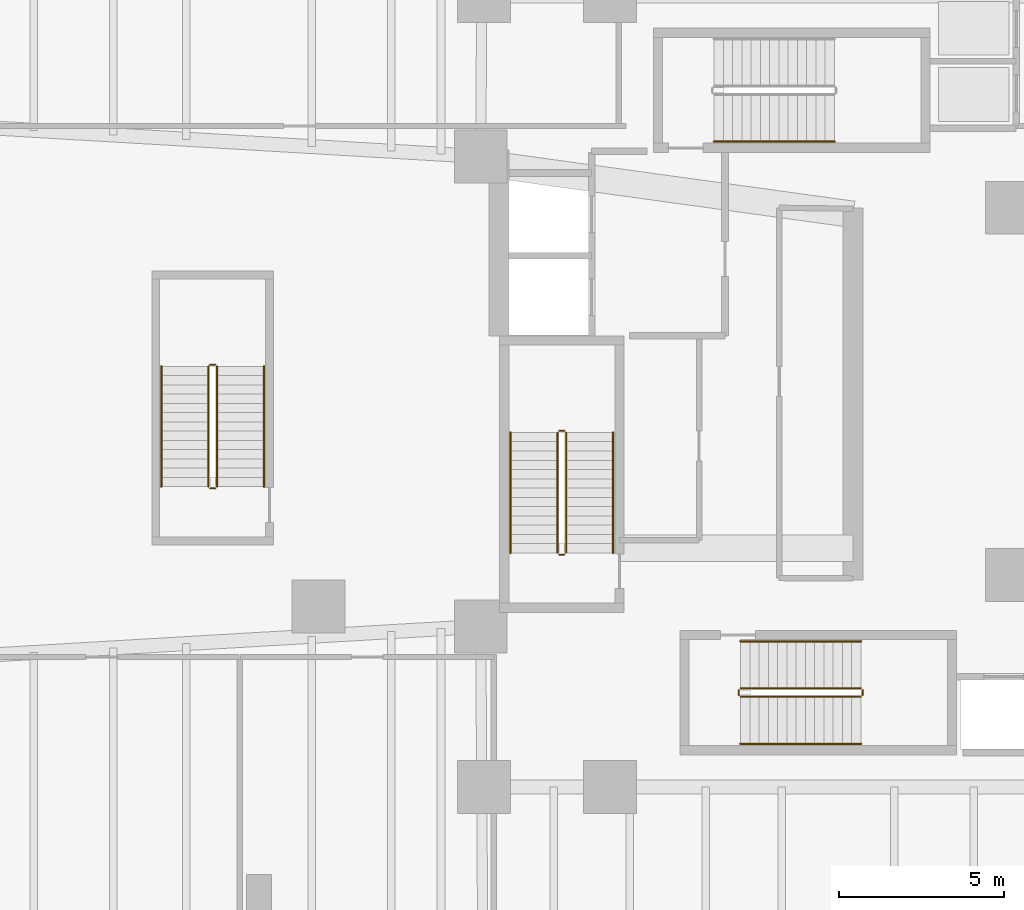
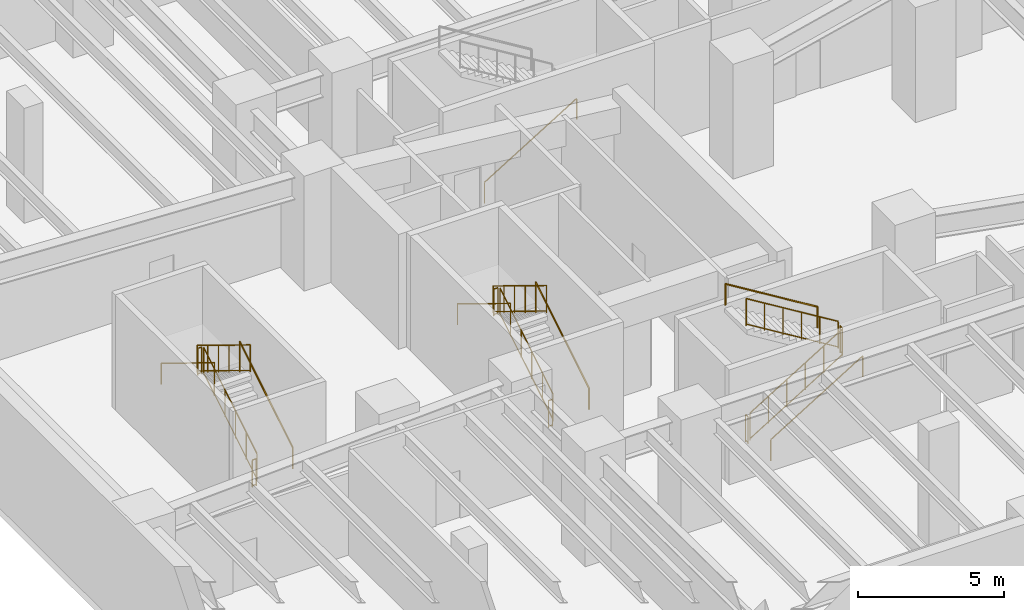
# One storey, part 7 of 9: 19 railings.
"""IFC4 building model written with IfcOpenShell, lengths in metres."""

from ifc_helpers import new_model, si_unit, direction, frame, origin, origin_2d, place, context, subcontext, project, spatial, circle, extrude, material, type_object, element, save


model = new_model("IFC4")

# Units and contexts
model_context = context("Model", 3, precision=1e-05, world=origin(), true_north=direction((0.0, 1.0)))
body_context = subcontext(model_context, "Body", "Model", "MODEL_VIEW")
ifc_project = project(units=[si_unit("LENGTHUNIT", "METRE"), si_unit("AREAUNIT", "SQUARE_METRE"), si_unit("VOLUMEUNIT", "CUBIC_METRE"), si_unit("PLANEANGLEUNIT", "RADIAN"), si_unit("MASSUNIT", "GRAM", prefix="KILO"), si_unit("THERMODYNAMICTEMPERATUREUNIT", "KELVIN"), si_unit("POWERUNIT", "WATT")], contexts=[model_context])

# Site, building, storey
site_placement = place(None, origin())
site = spatial("IfcSite", under=ifc_project, at=site_placement, CompositionType="ELEMENT")
building_placement = place(site_placement, origin())
building = spatial("IfcBuilding", under=site, at=building_placement, Name="Skarre Station Tower", CompositionType="ELEMENT")
storey_placement = place(building_placement, frame((0.0, 0.0, -4.800048828125)))
storey = spatial("IfcBuildingStorey", under=building, at=storey_placement, Name="B01", CompositionType="ELEMENT", Elevation=-4.800048828125)

# Railings
ifc_material = material(Name="Powder-Coated Tubular Steel", Category="steel")
railing_type_1 = type_object("IfcRailingType", Name="Painted Steel Ramp & Stair Handrail 920", PredefinedType="HANDRAIL", material=ifc_material)
railing_1_placement = place(storey_placement, frame((20.300048828125, 19.1201171875, 0.17138671875)))
element("IfcRailing", 1, at=railing_1_placement, inside=storey, type_object=railing_type_1, Name="B01 ST-1 stair handrail 1", PredefinedType="HANDRAIL", context=body_context, shape_type="SweptSolid", body=[
    extrude(circle(Radius=0.02392578125, at=origin_2d()), frame((0.0, 0.0, 0.8759765625), z_axis=(0.0, 0.852824790078, 0.522197163366), x_axis=(-1.0, 0.0, 0.0)), (0.0, 0.0, 1.0), 4.26806640625),
    extrude(circle(Radius=0.02099609375, at=origin_2d()), origin(), (0.0, 0.0, 1.0), 0.851806640625),
    extrude(circle(Radius=0.02099609375, at=origin_2d()), frame((0.0, 3.639892578125, 2.228759765625)), (0.0, 0.0, 1.0), 0.851806640625),
])
railing_2_placement = place(storey_placement, frame((17.199951171875, 22.760009765625, 2.571533203125)))
element("IfcRailing", 2, at=railing_2_placement, inside=storey, type_object=railing_type_1, Name="B01 ST-1 stair handrail 2", PredefinedType="HANDRAIL", context=body_context, shape_type="SweptSolid", body=[
    extrude(circle(Radius=0.02392578125, at=origin_2d()), frame((0.0, 0.0, 0.8759765625), z_axis=(0.0, -0.852850264322, 0.5221555579), x_axis=(1.0, 0.0, 0.0)), (0.0, 0.0, 1.0), 4.267822265625),
    extrude(circle(Radius=0.02099609375, at=origin_2d()), origin(), (0.0, 0.0, 1.0), 0.851806640625),
    extrude(circle(Radius=0.02099609375, at=origin_2d()), frame((0.0, -3.639892578125, 2.228515625)), (0.0, 0.0, 1.0), 0.851806640625),
])
railing_3_placement = place(storey_placement, frame((24.14990234375, 13.35009765625, 0.17138671875)))
element("IfcRailing", 3, at=railing_3_placement, inside=storey, type_object=railing_type_1, Name="B01 ST-2 stair handrail 1", PredefinedType="HANDRAIL", context=body_context, shape_type="SweptSolid", body=[
    extrude(circle(Radius=0.02392578125, at=origin_2d()), frame((0.0, 0.0, 0.8759765625), z_axis=(0.852840387347, 0.0, 0.522171689878), x_axis=(0.0, 1.0, 0.0)), (0.0, 0.0, 1.0), 4.268310546875),
    extrude(circle(Radius=0.02099609375, at=origin_2d()), origin(), (0.0, 0.0, 1.0), 0.851806640625),
    extrude(circle(Radius=0.02099609375, at=origin_2d()), frame((3.64013671875, 0.0, 2.228759765625)), (0.0, 0.0, 1.0), 0.851806640625),
])
railing_4_placement = place(storey_placement, frame((27.7900390625, 16.449951171875, 2.571533203125)))
element("IfcRailing", 4, at=railing_4_placement, inside=storey, type_object=railing_type_1, Name="B01 ST-2 stair handrail 2", PredefinedType="HANDRAIL", context=body_context, shape_type="SweptSolid", body=[
    extrude(circle(Radius=0.02392578125, at=origin_2d()), frame((0.0, 0.0, 0.8759765625), z_axis=(-0.852865859571, 0.0, 0.52213008492), x_axis=(0.0, -1.0, 0.0)), (0.0, 0.0, 1.0), 4.26806640625),
    extrude(circle(Radius=0.02099609375, at=origin_2d()), origin(), (0.0, 0.0, 1.0), 0.851806640625),
    extrude(circle(Radius=0.02099609375, at=origin_2d()), frame((-3.64013671875, 0.0, 2.228515625)), (0.0, 0.0, 1.0), 0.851806640625),
])
railing_5_placement = place(storey_placement, frame((23.35009765625, 31.550048828125, 0.17138671875)))
element("IfcRailing", 5, at=railing_5_placement, inside=storey, type_object=railing_type_1, Name="B01 ST-3 stair handrail 1", PredefinedType="HANDRAIL", context=body_context, shape_type="SweptSolid", body=[
    extrude(circle(Radius=0.02392578125, at=origin_2d()), frame((0.0, 0.0, 0.8759765625), z_axis=(0.852824790078, 0.0, 0.522197163366), x_axis=(0.0, 1.0, 0.0)), (0.0, 0.0, 1.0), 4.26806640625),
    extrude(circle(Radius=0.02099609375, at=origin_2d()), origin(), (0.0, 0.0, 1.0), 0.851806640625),
    extrude(circle(Radius=0.02099609375, at=origin_2d()), frame((3.639892578125, 0.0, 2.228759765625)), (0.0, 0.0, 1.0), 0.851806640625),
])
railing_6_placement = place(storey_placement, frame((9.75, 21.1201171875, 0.17138671875)))
element("IfcRailing", 6, at=railing_6_placement, inside=storey, type_object=railing_type_1, Name="B01 ST-4 stair handrail 1", PredefinedType="HANDRAIL", context=body_context, shape_type="SweptSolid", body=[
    extrude(circle(Radius=0.02392578125, at=origin_2d()), frame((0.0, 0.0, 0.8759765625), z_axis=(0.0, 0.852824790078, 0.522197163366), x_axis=(-1.0, 0.0, 0.0)), (0.0, 0.0, 1.0), 4.26806640625),
    extrude(circle(Radius=0.02099609375, at=origin_2d()), origin(), (0.0, 0.0, 1.0), 0.851806640625),
    extrude(circle(Radius=0.02099609375, at=origin_2d()), frame((0.0, 3.639892578125, 2.228759765625)), (0.0, 0.0, 1.0), 0.851806640625),
])
railing_7_placement = place(storey_placement, frame((6.64990234375, 24.760009765625, 2.571533203125)))
element("IfcRailing", 7, at=railing_7_placement, inside=storey, type_object=railing_type_1, Name="B01 ST-4 stair handrail 2", PredefinedType="HANDRAIL", context=body_context, shape_type="SweptSolid", body=[
    extrude(circle(Radius=0.02392578125, at=origin_2d()), frame((0.0, 0.0, 0.8759765625), z_axis=(0.0, -0.852850264322, 0.5221555579), x_axis=(1.0, 0.0, 0.0)), (0.0, 0.0, 1.0), 4.267822265625),
    extrude(circle(Radius=0.02099609375, at=origin_2d()), origin(), (0.0, 0.0, 1.0), 0.851806640625),
    extrude(circle(Radius=0.02099609375, at=origin_2d()), frame((0.0, -3.639892578125, 2.228515625)), (0.0, 0.0, 1.0), 0.851806640625),
])
railing_type_2 = type_object("IfcRailingType", Name="Painted Steel Stairwell Guardrail 1100", PredefinedType="GUARDRAIL", material=ifc_material)
railing_8_placement = place(storey_placement, frame((18.8798828125, 19.1201171875, 0.17138671875)))
element("IfcRailing", 8, at=railing_8_placement, inside=storey, type_object=railing_type_2, Name="B01 ST-1 stair guard 1", PredefinedType="GUARDRAIL", context=body_context, shape_type="SweptSolid", body=[
    extrude(circle(Radius=0.02392578125, at=origin_2d()), frame((0.0, 0.0, 1.1259765625), z_axis=(0.0, 0.852824790078, 0.522197163366), x_axis=(-1.0, 0.0, 0.0)), (0.0, 0.0, 1.0), 4.26806640625),
    extrude(circle(Radius=0.02099609375, at=origin_2d()), frame((0.0, 0.0, 0.06005859375), z_axis=(0.0, 0.852824790078, 0.522197163366), x_axis=(-1.0, 0.0, 0.0)), (0.0, 0.0, 1.0), 4.26806640625),
    extrude(circle(Radius=0.02099609375, at=origin_2d()), origin(), (0.0, 0.0, 1.0), 1.101806640625),
    extrude(circle(Radius=0.02099609375, at=origin_2d()), frame((0.0, 0.72802734375, 0.44580078125)), (0.0, 0.0, 1.0), 1.101806640625),
    extrude(circle(Radius=0.02099609375, at=origin_2d()), frame((0.0, 1.4560546875, 0.8916015625)), (0.0, 0.0, 1.0), 1.101806640625),
    extrude(circle(Radius=0.02099609375, at=origin_2d()), frame((0.0, 2.183837890625, 1.337158203125)), (0.0, 0.0, 1.0), 1.101806640625),
    extrude(circle(Radius=0.02099609375, at=origin_2d()), frame((0.0, 2.911865234375, 1.782958984375)), (0.0, 0.0, 1.0), 1.101806640625),
    extrude(circle(Radius=0.02099609375, at=origin_2d()), frame((0.0, 3.639892578125, 2.228759765625)), (0.0, 0.0, 1.0), 1.101806640625),
])
railing_9_placement = place(storey_placement, frame((18.830078125, 22.81005859375, 2.400146484375)))
element("IfcRailing", 9, at=railing_9_placement, inside=storey, type_object=railing_type_2, Name="B01 ST-1 stair guard 2", PredefinedType="GUARDRAIL", context=body_context, shape_type="SweptSolid", body=[
    extrude(circle(Radius=0.02392578125, at=origin_2d()), frame((0.0, 0.0, 1.1259765625), z_axis=(-1.0, 0.0, 0.0), x_axis=(0.0, -1.0, 0.0)), (0.0, 0.0, 1.0), 0.16015625),
    extrude(circle(Radius=0.02099609375, at=origin_2d()), frame((0.0, 0.0, 0.06005859375), z_axis=(-1.0, 0.0, 0.0), x_axis=(0.0, -1.0, 0.0)), (0.0, 0.0, 1.0), 0.16015625),
    extrude(circle(Radius=0.02099609375, at=origin_2d()), origin(), (0.0, 0.0, 1.0), 1.101806640625),
    extrude(circle(Radius=0.02099609375, at=origin_2d()), frame((-0.16015625, 0.0, 0.0)), (0.0, 0.0, 1.0), 1.101806640625),
])
railing_10_placement = place(storey_placement, frame((18.6201171875, 22.760009765625, 2.571533203125)))
element("IfcRailing", 10, at=railing_10_placement, inside=storey, type_object=railing_type_2, Name="B01 ST-1 stair guard 3", PredefinedType="GUARDRAIL", context=body_context, shape_type="SweptSolid", body=[
    extrude(circle(Radius=0.02392578125, at=origin_2d()), frame((0.0, 0.0, 1.1259765625), z_axis=(0.0, -0.852850264322, 0.5221555579), x_axis=(1.0, 0.0, 0.0)), (0.0, 0.0, 1.0), 4.267822265625),
    extrude(circle(Radius=0.02099609375, at=origin_2d()), frame((0.0, 0.0, 0.06005859375), z_axis=(0.0, -0.852850264322, 0.5221555579), x_axis=(1.0, 0.0, 0.0)), (0.0, 0.0, 1.0), 4.267822265625),
    extrude(circle(Radius=0.02099609375, at=origin_2d()), origin(), (0.0, 0.0, 1.0), 1.101806640625),
    extrude(circle(Radius=0.02099609375, at=origin_2d()), frame((0.0, -0.72802734375, 0.44580078125)), (0.0, 0.0, 1.0), 1.101806640625),
    extrude(circle(Radius=0.02099609375, at=origin_2d()), frame((0.0, -1.4560546875, 0.891357421875)), (0.0, 0.0, 1.0), 1.101806640625),
    extrude(circle(Radius=0.02099609375, at=origin_2d()), frame((0.0, -2.183837890625, 1.337158203125)), (0.0, 0.0, 1.0), 1.101806640625),
    extrude(circle(Radius=0.02099609375, at=origin_2d()), frame((0.0, -2.911865234375, 1.78271484375)), (0.0, 0.0, 1.0), 1.101806640625),
    extrude(circle(Radius=0.02099609375, at=origin_2d()), frame((0.0, -3.639892578125, 2.228515625)), (0.0, 0.0, 1.0), 1.101806640625),
])
railing_11_placement = place(storey_placement, frame((18.830078125, 19.070068359375, 0.0)))
element("IfcRailing", 11, at=railing_11_placement, inside=storey, type_object=railing_type_2, Name="B01 ST-1 stair guard 4", PredefinedType="GUARDRAIL", context=body_context, shape_type="SweptSolid", body=[
    extrude(circle(Radius=0.02392578125, at=origin_2d()), frame((0.0, 0.0, 1.1259765625), z_axis=(-1.0, 0.0, 0.0), x_axis=(0.0, -1.0, 0.0)), (0.0, 0.0, 1.0), 0.16015625),
    extrude(circle(Radius=0.02099609375, at=origin_2d()), frame((0.0, 0.0, 0.06005859375), z_axis=(-1.0, 0.0, 0.0), x_axis=(0.0, -1.0, 0.0)), (0.0, 0.0, 1.0), 0.16015625),
    extrude(circle(Radius=0.02099609375, at=origin_2d()), origin(), (0.0, 0.0, 1.0), 1.101806640625),
    extrude(circle(Radius=0.02099609375, at=origin_2d()), frame((-0.16015625, 0.0, 0.0)), (0.0, 0.0, 1.0), 1.101806640625),
])
railing_12_placement = place(storey_placement, frame((24.14990234375, 14.77001953125, 0.17138671875)))
element("IfcRailing", 12, at=railing_12_placement, inside=storey, type_object=railing_type_2, Name="B01 ST-2 stair guard 1", PredefinedType="GUARDRAIL", context=body_context, shape_type="SweptSolid", body=[
    extrude(circle(Radius=0.02392578125, at=origin_2d()), frame((0.0, 0.0, 1.1259765625), z_axis=(0.852840387347, 0.0, 0.522171689878), x_axis=(0.0, 1.0, 0.0)), (0.0, 0.0, 1.0), 4.268310546875),
    extrude(circle(Radius=0.02099609375, at=origin_2d()), frame((0.0, 0.0, 0.06005859375), z_axis=(0.852840387347, 0.0, 0.522171689878), x_axis=(0.0, 1.0, 0.0)), (0.0, 0.0, 1.0), 4.268310546875),
    extrude(circle(Radius=0.02099609375, at=origin_2d()), origin(), (0.0, 0.0, 1.0), 1.101806640625),
    extrude(circle(Radius=0.02099609375, at=origin_2d()), frame((0.72802734375, 0.0, 0.44580078125)), (0.0, 0.0, 1.0), 1.101806640625),
    extrude(circle(Radius=0.02099609375, at=origin_2d()), frame((1.4560546875, 0.0, 0.8916015625)), (0.0, 0.0, 1.0), 1.101806640625),
    extrude(circle(Radius=0.02099609375, at=origin_2d()), frame((2.18408203125, 0.0, 1.337158203125)), (0.0, 0.0, 1.0), 1.101806640625),
    extrude(circle(Radius=0.02099609375, at=origin_2d()), frame((2.912109375, 0.0, 1.782958984375)), (0.0, 0.0, 1.0), 1.101806640625),
    extrude(circle(Radius=0.02099609375, at=origin_2d()), frame((3.64013671875, 0.0, 2.228759765625)), (0.0, 0.0, 1.0), 1.101806640625),
])
railing_13_placement = place(storey_placement, frame((27.840087890625, 14.820068359375, 2.400146484375)))
element("IfcRailing", 13, at=railing_13_placement, inside=storey, type_object=railing_type_2, Name="B01 ST-2 stair guard 2", PredefinedType="GUARDRAIL", context=body_context, shape_type="SweptSolid", body=[
    extrude(circle(Radius=0.02392578125, at=origin_2d()), frame((0.0, 0.0, 1.1259765625), z_axis=(0.0, 1.0, 0.0), x_axis=(-1.0, 0.0, 0.0)), (0.0, 0.0, 1.0), 0.159912109375),
    extrude(circle(Radius=0.02099609375, at=origin_2d()), frame((0.0, 0.0, 0.06005859375), z_axis=(0.0, 1.0, 0.0), x_axis=(-1.0, 0.0, 0.0)), (0.0, 0.0, 1.0), 0.159912109375),
    extrude(circle(Radius=0.02099609375, at=origin_2d()), origin(), (0.0, 0.0, 1.0), 1.101806640625),
    extrude(circle(Radius=0.02099609375, at=origin_2d()), frame((0.0, 0.159912109375, 0.0)), (0.0, 0.0, 1.0), 1.101806640625),
])
railing_14_placement = place(storey_placement, frame((27.7900390625, 15.030029296875, 2.571533203125)))
element("IfcRailing", 14, at=railing_14_placement, inside=storey, type_object=railing_type_2, Name="B01 ST-2 stair guard 3", PredefinedType="GUARDRAIL", context=body_context, shape_type="SweptSolid", body=[
    extrude(circle(Radius=0.02392578125, at=origin_2d()), frame((0.0, 0.0, 1.1259765625), z_axis=(-0.852865859571, 0.0, 0.52213008492), x_axis=(0.0, -1.0, 0.0)), (0.0, 0.0, 1.0), 4.26806640625),
    extrude(circle(Radius=0.02099609375, at=origin_2d()), frame((0.0, 0.0, 0.06005859375), z_axis=(-0.852865859571, 0.0, 0.52213008492), x_axis=(0.0, -1.0, 0.0)), (0.0, 0.0, 1.0), 4.26806640625),
    extrude(circle(Radius=0.02099609375, at=origin_2d()), origin(), (0.0, 0.0, 1.0), 1.101806640625),
    extrude(circle(Radius=0.02099609375, at=origin_2d()), frame((-0.72802734375, 0.0, 0.44580078125)), (0.0, 0.0, 1.0), 1.101806640625),
    extrude(circle(Radius=0.02099609375, at=origin_2d()), frame((-1.4560546875, 0.0, 0.891357421875)), (0.0, 0.0, 1.0), 1.101806640625),
    extrude(circle(Radius=0.02099609375, at=origin_2d()), frame((-2.18408203125, 0.0, 1.337158203125)), (0.0, 0.0, 1.0), 1.101806640625),
    extrude(circle(Radius=0.02099609375, at=origin_2d()), frame((-2.912109375, 0.0, 1.78271484375)), (0.0, 0.0, 1.0), 1.101806640625),
    extrude(circle(Radius=0.02099609375, at=origin_2d()), frame((-3.64013671875, 0.0, 2.228515625)), (0.0, 0.0, 1.0), 1.101806640625),
])
railing_15_placement = place(storey_placement, frame((24.10009765625, 14.820068359375, 0.0)))
element("IfcRailing", 15, at=railing_15_placement, inside=storey, type_object=railing_type_2, Name="B01 ST-2 stair guard 4", PredefinedType="GUARDRAIL", context=body_context, shape_type="SweptSolid", body=[
    extrude(circle(Radius=0.02392578125, at=origin_2d()), frame((0.0, 0.0, 1.1259765625), z_axis=(0.0, 1.0, 0.0), x_axis=(-1.0, 0.0, 0.0)), (0.0, 0.0, 1.0), 0.159912109375),
    extrude(circle(Radius=0.02099609375, at=origin_2d()), frame((0.0, 0.0, 0.06005859375), z_axis=(0.0, 1.0, 0.0), x_axis=(-1.0, 0.0, 0.0)), (0.0, 0.0, 1.0), 0.159912109375),
    extrude(circle(Radius=0.02099609375, at=origin_2d()), origin(), (0.0, 0.0, 1.0), 1.101806640625),
    extrude(circle(Radius=0.02099609375, at=origin_2d()), frame((0.0, 0.159912109375, 0.0)), (0.0, 0.0, 1.0), 1.101806640625),
])
railing_16_placement = place(storey_placement, frame((8.330078125, 21.1201171875, 0.17138671875)))
element("IfcRailing", 16, at=railing_16_placement, inside=storey, type_object=railing_type_2, Name="B01 ST-4 stair guard 1", PredefinedType="GUARDRAIL", context=body_context, shape_type="SweptSolid", body=[
    extrude(circle(Radius=0.02392578125, at=origin_2d()), frame((0.0, 0.0, 1.1259765625), z_axis=(0.0, 0.852824790078, 0.522197163366), x_axis=(-1.0, 0.0, 0.0)), (0.0, 0.0, 1.0), 4.26806640625),
    extrude(circle(Radius=0.02099609375, at=origin_2d()), frame((0.0, 0.0, 0.06005859375), z_axis=(0.0, 0.852824790078, 0.522197163366), x_axis=(-1.0, 0.0, 0.0)), (0.0, 0.0, 1.0), 4.26806640625),
    extrude(circle(Radius=0.02099609375, at=origin_2d()), origin(), (0.0, 0.0, 1.0), 1.101806640625),
    extrude(circle(Radius=0.02099609375, at=origin_2d()), frame((0.0, 0.72802734375, 0.44580078125)), (0.0, 0.0, 1.0), 1.101806640625),
    extrude(circle(Radius=0.02099609375, at=origin_2d()), frame((0.0, 1.4560546875, 0.8916015625)), (0.0, 0.0, 1.0), 1.101806640625),
    extrude(circle(Radius=0.02099609375, at=origin_2d()), frame((0.0, 2.183837890625, 1.337158203125)), (0.0, 0.0, 1.0), 1.101806640625),
    extrude(circle(Radius=0.02099609375, at=origin_2d()), frame((0.0, 2.911865234375, 1.782958984375)), (0.0, 0.0, 1.0), 1.101806640625),
    extrude(circle(Radius=0.02099609375, at=origin_2d()), frame((0.0, 3.639892578125, 2.228759765625)), (0.0, 0.0, 1.0), 1.101806640625),
])
railing_17_placement = place(storey_placement, frame((8.280029296875, 24.81005859375, 2.400146484375)))
element("IfcRailing", 17, at=railing_17_placement, inside=storey, type_object=railing_type_2, Name="B01 ST-4 stair guard 2", PredefinedType="GUARDRAIL", context=body_context, shape_type="SweptSolid", body=[
    extrude(circle(Radius=0.02392578125, at=origin_2d()), frame((0.0, 0.0, 1.1259765625), z_axis=(-1.0, 0.0, 0.0), x_axis=(0.0, -1.0, 0.0)), (0.0, 0.0, 1.0), 0.159912109375),
    extrude(circle(Radius=0.02099609375, at=origin_2d()), frame((0.0, 0.0, 0.06005859375), z_axis=(-1.0, 0.0, 0.0), x_axis=(0.0, -1.0, 0.0)), (0.0, 0.0, 1.0), 0.159912109375),
    extrude(circle(Radius=0.02099609375, at=origin_2d()), origin(), (0.0, 0.0, 1.0), 1.101806640625),
    extrude(circle(Radius=0.02099609375, at=origin_2d()), frame((-0.159912109375, 0.0, 0.0)), (0.0, 0.0, 1.0), 1.101806640625),
])
railing_18_placement = place(storey_placement, frame((8.070068359375, 24.760009765625, 2.571533203125)))
element("IfcRailing", 18, at=railing_18_placement, inside=storey, type_object=railing_type_2, Name="B01 ST-4 stair guard 3", PredefinedType="GUARDRAIL", context=body_context, shape_type="SweptSolid", body=[
    extrude(circle(Radius=0.02392578125, at=origin_2d()), frame((0.0, 0.0, 1.1259765625), z_axis=(0.0, -0.852850264322, 0.5221555579), x_axis=(1.0, 0.0, 0.0)), (0.0, 0.0, 1.0), 4.267822265625),
    extrude(circle(Radius=0.02099609375, at=origin_2d()), frame((0.0, 0.0, 0.06005859375), z_axis=(0.0, -0.852850264322, 0.5221555579), x_axis=(1.0, 0.0, 0.0)), (0.0, 0.0, 1.0), 4.267822265625),
    extrude(circle(Radius=0.02099609375, at=origin_2d()), origin(), (0.0, 0.0, 1.0), 1.101806640625),
    extrude(circle(Radius=0.02099609375, at=origin_2d()), frame((0.0, -0.72802734375, 0.44580078125)), (0.0, 0.0, 1.0), 1.101806640625),
    extrude(circle(Radius=0.02099609375, at=origin_2d()), frame((0.0, -1.4560546875, 0.891357421875)), (0.0, 0.0, 1.0), 1.101806640625),
    extrude(circle(Radius=0.02099609375, at=origin_2d()), frame((0.0, -2.183837890625, 1.337158203125)), (0.0, 0.0, 1.0), 1.101806640625),
    extrude(circle(Radius=0.02099609375, at=origin_2d()), frame((0.0, -2.911865234375, 1.78271484375)), (0.0, 0.0, 1.0), 1.101806640625),
    extrude(circle(Radius=0.02099609375, at=origin_2d()), frame((0.0, -3.639892578125, 2.228515625)), (0.0, 0.0, 1.0), 1.101806640625),
])
railing_19_placement = place(storey_placement, frame((8.280029296875, 21.070068359375, 0.0)))
element("IfcRailing", 19, at=railing_19_placement, inside=storey, type_object=railing_type_2, Name="B01 ST-4 stair guard 4", PredefinedType="GUARDRAIL", context=body_context, shape_type="SweptSolid", body=[
    extrude(circle(Radius=0.02392578125, at=origin_2d()), frame((0.0, 0.0, 1.1259765625), z_axis=(-1.0, 0.0, 0.0), x_axis=(0.0, -1.0, 0.0)), (0.0, 0.0, 1.0), 0.159912109375),
    extrude(circle(Radius=0.02099609375, at=origin_2d()), frame((0.0, 0.0, 0.06005859375), z_axis=(-1.0, 0.0, 0.0), x_axis=(0.0, -1.0, 0.0)), (0.0, 0.0, 1.0), 0.159912109375),
    extrude(circle(Radius=0.02099609375, at=origin_2d()), origin(), (0.0, 0.0, 1.0), 1.101806640625),
    extrude(circle(Radius=0.02099609375, at=origin_2d()), frame((-0.159912109375, 0.0, 0.0)), (0.0, 0.0, 1.0), 1.101806640625),
])

save(model, "model.ifc")
